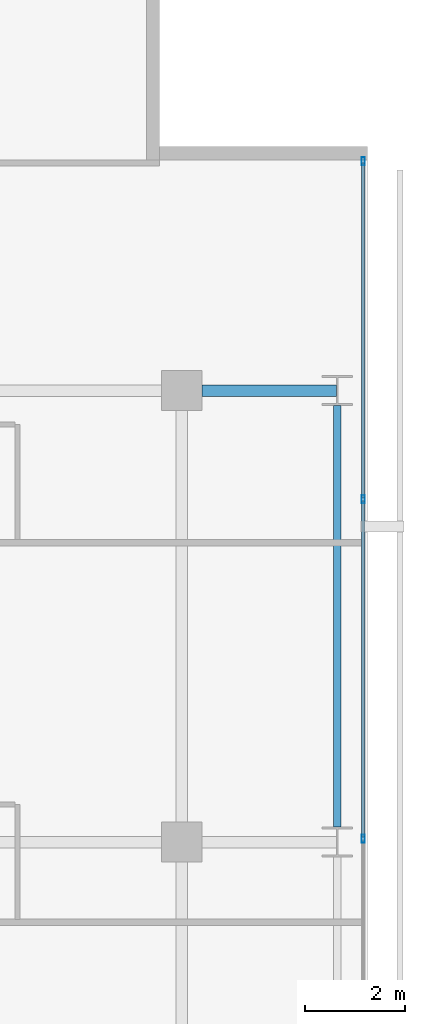
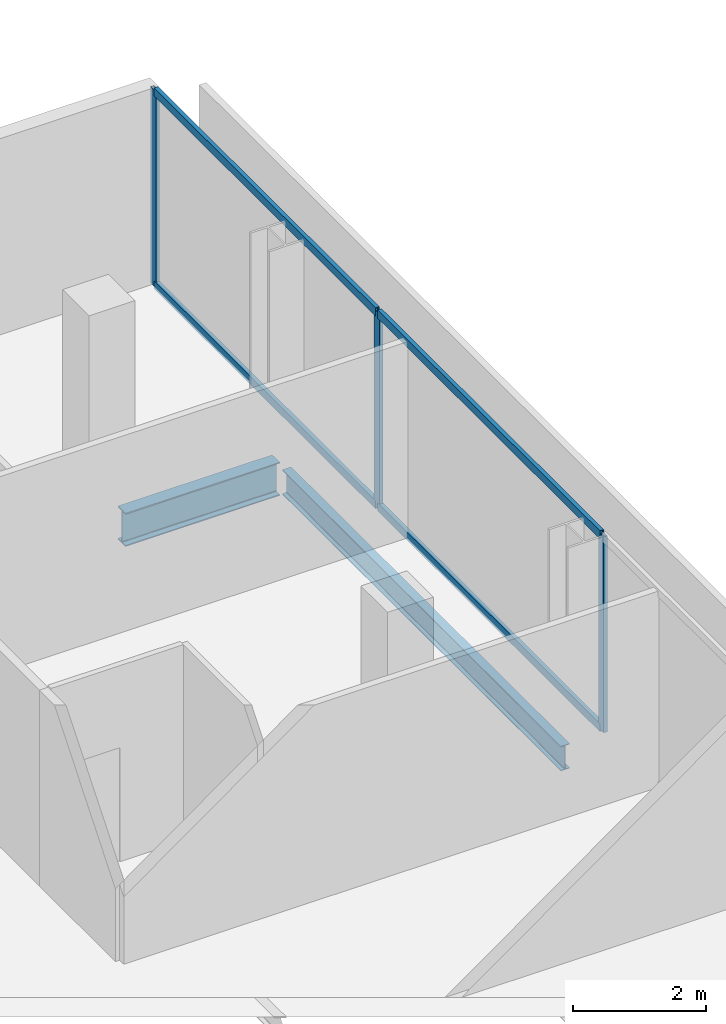
# One storey, part 24 of 34: 7 members, 2 beams, 1 element without a shape of its own.
"""IFC4 building model written with IfcOpenShell, lengths in metres."""

from ifc_helpers import new_model, si_unit, direction, frame, origin, origin_2d, place, context, subcontext, project, spatial, hollow_rectangle, i_section, extrude, material, layer, layer_set, material_profile, profile_set, type_object, element, aggregate, save


model = new_model("IFC4")

# Units and contexts
model_context = context("Model", 3, precision=1e-05, world=origin(), true_north=direction((0.0, 1.0)))
body_context = subcontext(model_context, "Body", "Model", "MODEL_VIEW")
ifc_project = project(units=[si_unit("LENGTHUNIT", "METRE"), si_unit("AREAUNIT", "SQUARE_METRE"), si_unit("VOLUMEUNIT", "CUBIC_METRE"), si_unit("PLANEANGLEUNIT", "RADIAN"), si_unit("MASSUNIT", "GRAM", prefix="KILO")], contexts=[model_context])

# Site, building, storey
site_placement = place(None, origin())
site = spatial("IfcSite", under=ifc_project, at=site_placement, CompositionType="ELEMENT")
building_placement = place(site_placement, origin())
building = spatial("IfcBuilding", under=site, at=building_placement, Name="Maruvema Waterfront Hotel and Observation Tower", CompositionType="ELEMENT")
storey_placement = place(building_placement, frame((0.0, 0.0, 131.25)))
storey = spatial("IfcBuildingStorey", under=building, at=storey_placement, Name="L31", CompositionType="ELEMENT", Elevation=131.25)

# Curtain wall, members
ifc_material_1 = material(Name="Anodised bronze aluminium and solar-control low-E IGU", Category="aluminium")
ifc_layer = layer(ifc_material_1, 0.159912109375, Name="Zone 2 Amber Inner Thermal Curtain Wall System CW-03")
ifc_layer_set = layer_set([ifc_layer], Name="Anodised bronze aluminium and solar-control low-E IGU")
curtain_wall_type = type_object("IfcCurtainWallType", Name="Zone 2 Amber Inner Thermal Curtain Wall System CW-03", PredefinedType="USERDEFINED", material=ifc_layer_set)
curtain_wall_placement = place(storey_placement, origin())
curtain_wall = element("IfcCurtainWall", 1, at=curtain_wall_placement, inside=storey, type_object=curtain_wall_type, Name="L31 Curtain Wall CW-L31-E", ObjectType="UNITISED CURTAIN WALL", PredefinedType="USERDEFINED")
ifc_material_2 = material(Name="Anodised architectural bronze aluminium", Category="aluminium")
ifc_material_profile_1 = material_profile(ifc_material_2, hollow_rectangle(XDim=0.070068359375, YDim=0.14990234375, WallThickness=0.00390625, at=origin_2d()), Name="ALU-T70x150")
ifc_profile_set_1 = profile_set([ifc_material_profile_1], Name="Anodised architectural bronze aluminium")
member_type_1 = type_object("IfcMemberType", Name="Curtain Wall Horizontal Transom ALU-T70x150", PredefinedType="USERDEFINED", material=ifc_profile_set_1)
member_1_placement = place(storey_placement, frame((62.419921875, 36.0966796875, 0.030029296875), z_axis=(0.0, 1.0, 0.0), x_axis=(-1.0, 0.0, 0.0)))
member_1 = element("IfcMember", 2, at=member_1_placement, type_object=member_type_1, Name="CW-03 transom 5.1", ObjectType="TRANSOM", PredefinedType="USERDEFINED", context=body_context, shape_type="SweptSolid", body=[
    extrude(hollow_rectangle(XDim=0.070068359375, YDim=0.14990234375, WallThickness=0.00390625, at=origin_2d()), origin(), (0.0, 0.0, 1.0), 6.70654296875),
])
member_2_placement = place(storey_placement, frame((62.419921875, 36.0966796875, 3.580078125), z_axis=(0.0, 1.0, 0.0), x_axis=(-1.0, 0.0, 0.0)))
member_2 = element("IfcMember", 3, at=member_2_placement, type_object=member_type_1, Name="CW-03 transom 5.2", ObjectType="TRANSOM", PredefinedType="USERDEFINED", context=body_context, shape_type="SweptSolid", body=[
    extrude(hollow_rectangle(XDim=0.070068359375, YDim=0.14990234375, WallThickness=0.00390625, at=origin_2d()), origin(), (0.0, 0.0, 1.0), 6.70654296875),
])
member_3_placement = place(storey_placement, frame((62.419921875, 42.86328125, 0.030029296875), z_axis=(0.0, 1.0, 0.0), x_axis=(-1.0, 0.0, 0.0)))
member_3 = element("IfcMember", 4, at=member_3_placement, type_object=member_type_1, Name="CW-03 transom 6.1", ObjectType="TRANSOM", PredefinedType="USERDEFINED", context=body_context, shape_type="SweptSolid", body=[
    extrude(hollow_rectangle(XDim=0.070068359375, YDim=0.14990234375, WallThickness=0.00390625, at=origin_2d()), origin(), (0.0, 0.0, 1.0), 6.6767578125),
])
member_4_placement = place(storey_placement, frame((62.419921875, 42.86328125, 3.580078125), z_axis=(0.0, 1.0, 0.0), x_axis=(-1.0, 0.0, 0.0)))
member_4 = element("IfcMember", 5, at=member_4_placement, type_object=member_type_1, Name="CW-03 transom 6.2", ObjectType="TRANSOM", PredefinedType="USERDEFINED", context=body_context, shape_type="SweptSolid", body=[
    extrude(hollow_rectangle(XDim=0.070068359375, YDim=0.14990234375, WallThickness=0.00390625, at=origin_2d()), origin(), (0.0, 0.0, 1.0), 6.6767578125),
])
ifc_material_3 = material(Name="Anodised architectural bronze aluminium", Category="aluminium")
ifc_material_profile_2 = material_profile(ifc_material_3, hollow_rectangle(XDim=0.06494140625, YDim=0.1650390625, WallThickness=0.00390625, at=origin_2d()), Name="ALU-M65x165")
ifc_profile_set_2 = profile_set([ifc_material_profile_2], Name="Anodised architectural bronze aluminium")
member_type_2 = type_object("IfcMemberType", Name="Curtain Wall Primary Mullion ALU-M65x165", PredefinedType="MULLION", material=ifc_profile_set_2)
member_5_placement = place(storey_placement, frame((62.419921875, 36.066650390625, 0.0), z_axis=(0.0, 0.0, 1.0), x_axis=(-1.0, 0.0, 0.0)))
member_5 = element("IfcMember", 6, at=member_5_placement, type_object=member_type_2, Name="CW-03 mullion 5", PredefinedType="MULLION", context=body_context, shape_type="SweptSolid", body=[
    extrude(hollow_rectangle(XDim=0.06494140625, YDim=0.1650390625, WallThickness=0.00390625, at=origin_2d()), origin(), (0.0, 0.0, 1.0), 3.610107421875),
])
member_6_placement = place(storey_placement, frame((62.419921875, 42.833251953125, 0.0), z_axis=(0.0, 0.0, 1.0), x_axis=(-1.0, 0.0, 0.0)))
member_6 = element("IfcMember", 7, at=member_6_placement, type_object=member_type_2, Name="CW-03 mullion 6", PredefinedType="MULLION", context=body_context, shape_type="SweptSolid", body=[
    extrude(hollow_rectangle(XDim=0.06494140625, YDim=0.1650390625, WallThickness=0.00390625, at=origin_2d()), origin(), (0.0, 0.0, 1.0), 3.610107421875),
])
member_7_placement = place(storey_placement, frame((62.419921875, 49.570068359375, 0.0), z_axis=(0.0, 0.0, 1.0), x_axis=(-1.0, 0.0, 0.0)))
member_7 = element("IfcMember", 8, at=member_7_placement, type_object=member_type_2, Name="CW-03 mullion 7", PredefinedType="MULLION", context=body_context, shape_type="SweptSolid", body=[
    extrude(hollow_rectangle(XDim=0.06494140625, YDim=0.1650390625, WallThickness=0.00390625, at=origin_2d()), origin(), (0.0, 0.0, 1.0), 3.610107421875),
])
aggregate(curtain_wall, [member_5, member_6, member_7, member_1, member_2, member_3, member_4])

# Beams
ifc_material_4 = material(Name="Steel ASTM A572 Grade 50", Category="steel")
ifc_material_profile_3 = material_profile(ifc_material_4, i_section(OverallWidth=0.153076171875, OverallDepth=0.455078125, WebThickness=0.008056640625, FlangeThickness=0.01318359375, FilletRadius=0.014892578125, at=origin_2d()), Name="W460x60.0")
ifc_profile_set_3 = profile_set([ifc_material_profile_3], Name="Steel ASTM A572 Grade 50")
beam_type_1 = type_object("IfcBeamType", Name="Perimeter Spandrel Beam W460x60.0", PredefinedType="SPANDREL", material=ifc_profile_set_3)
beam_1_placement = place(storey_placement, frame((61.89990234375, 36.300048828125, -0.467529296875), z_axis=(0.0, 1.0, 0.0), x_axis=(-1.0, 0.0, 0.0)))
element("IfcBeam", 9, at=beam_1_placement, inside=storey, type_object=beam_type_1, Name="L31 Floor Girder NS-32", PredefinedType="SPANDREL", context=body_context, shape_type="SweptSolid", body=[
    extrude(i_section(OverallWidth=0.153076171875, OverallDepth=0.455078125, WebThickness=0.008056640625, FlangeThickness=0.01318359375, FilletRadius=0.014892578125, at=origin_2d()), origin(), (0.0, 0.0, 1.0), 8.39990234375),
])
ifc_material_5 = material(Name="Steel ASTM A572 Grade 50", Category="steel")
ifc_material_profile_4 = material_profile(ifc_material_5, i_section(OverallWidth=0.22900390625, OverallDepth=0.612060546875, WebThickness=0.011962890625, FlangeThickness=0.01953125, FilletRadius=0.01806640625, at=origin_2d()), Name="W610x125.0")
ifc_profile_set_4 = profile_set([ifc_material_profile_4], Name="Steel ASTM A572 Grade 50")
beam_type_2 = type_object("IfcBeamType", Name="Primary Floor Girder W610x125.0", PredefinedType="BEAM", material=ifc_profile_set_4)
beam_2_placement = place(storey_placement, frame((59.199951171875, 45.0, -0.5458984375), z_axis=(1.0, 0.0, 0.0), x_axis=(0.0, 1.0, 0.0)))
element("IfcBeam", 10, at=beam_2_placement, inside=storey, type_object=beam_type_2, Name="L31 Floor Girder EW-33", PredefinedType="BEAM", context=body_context, shape_type="SweptSolid", body=[
    extrude(i_section(OverallWidth=0.22900390625, OverallDepth=0.612060546875, WebThickness=0.011962890625, FlangeThickness=0.01953125, FilletRadius=0.01806640625, at=origin_2d()), origin(), (0.0, 0.0, 1.0), 2.6875),
])

save(model, "model.ifc")
